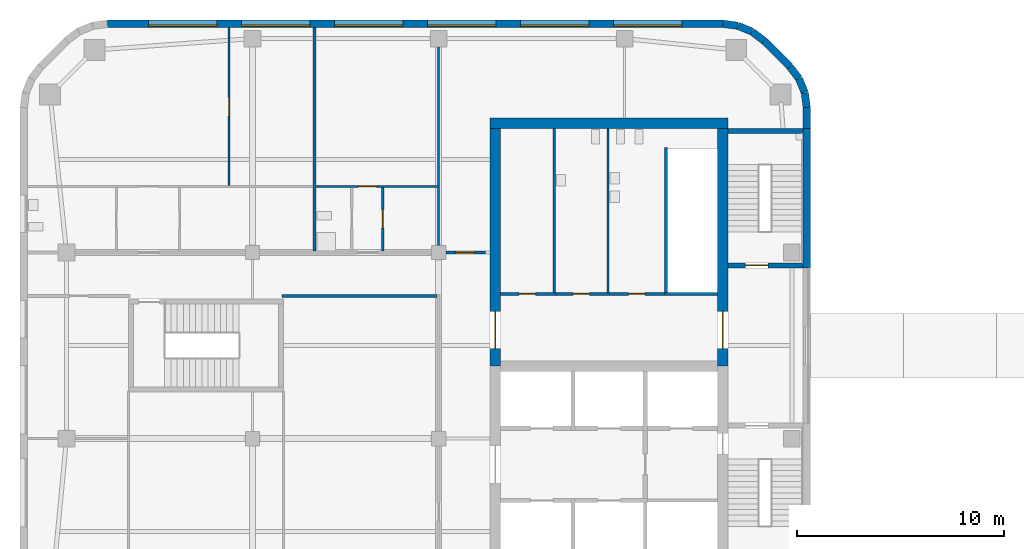
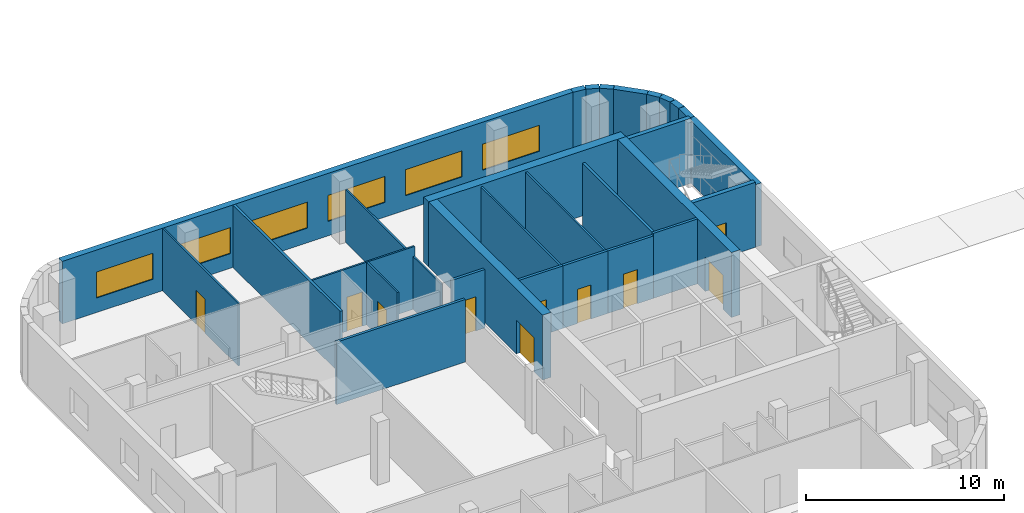
# One storey, part 7 of 15: 30 walls, 10 doors, 6 windows, 16 openings.
"""IFC4 building model written with IfcOpenShell, lengths in metres."""

from ifc_helpers import new_model, si_unit, direction, frame, frame_2d, origin, place, context, subcontext, project, spatial, rectangle, extrude, material, layer, layer_set, type_object, element, fill, save


model = new_model("IFC4")

# Units and contexts
model_context = context("Model", 3, precision=1e-05, world=origin(), true_north=direction((0.0, 1.0)))
body_context = subcontext(model_context, "Body", "Model", "MODEL_VIEW")
ifc_project = project(units=[si_unit("LENGTHUNIT", "METRE"), si_unit("AREAUNIT", "SQUARE_METRE"), si_unit("VOLUMEUNIT", "CUBIC_METRE"), si_unit("PLANEANGLEUNIT", "RADIAN"), si_unit("MASSUNIT", "GRAM", prefix="KILO")], contexts=[model_context])

# Site, building, storey
site_placement = place(None, origin())
site = spatial("IfcSite", under=ifc_project, at=site_placement, CompositionType="ELEMENT")
building_placement = place(site_placement, origin())
building = spatial("IfcBuilding", under=site, at=building_placement, Name="Cinnabar Reach Civic Tower", CompositionType="ELEMENT")
storey_placement = place(building_placement, frame((0.0, 0.0, 75.0)))
storey = spatial("IfcBuildingStorey", under=building, at=storey_placement, Name="L17", CompositionType="ELEMENT", Elevation=75.0)

# Walls
ifc_material_1 = material(Name="Facing brick with insulated backing", Category="masonry")
ifc_layer_1 = layer(ifc_material_1, 0.36)
ifc_layer_set_1 = layer_set([ifc_layer_1], Name="Brick corner wall")
wall_type_1 = type_object("IfcWallType", Name="Brick corner wall", PredefinedType="STANDARD", material=ifc_layer_set_1)
for number, where, z_axis, x_axis, name in (
    (1, (-27.183, 43.0186, 0.0), (0.0, 0.0, 1.0), (-0.13055608231, 0.99144092581, 0.0), "Brick corner wall"),
    (2, (-27.2819, 43.7473, 0.0), (0.0, 0.0, 1.0), (-0.382702709855, 0.923871547278, 0.0), "Brick corner wall"),
):
    element("IfcWall", number, at=place(storey_placement, frame(where, z_axis=z_axis, x_axis=x_axis)), inside=storey, type_object=wall_type_1, Name=name, PredefinedType="STANDARD", context=body_context, shape_type="SweptSolid", body=[
        extrude(rectangle(XDim=0.7131, YDim=0.36, at=frame_2d((0.3565, 0.0))), origin(), (0.0, 0.0, 1.0), 3.85),
    ])
for number, where, z_axis, x_axis, name in (
    (3, (-27.566, 44.4255, 0.0), (0.0, 0.0, 1.0), (-0.608802368033, 0.793321924995, 0.0), "Brick corner wall"),
    (4, (-29.2587, 46.2498, 0.0), (0.0, 0.0, 1.0), (-0.793321924995, 0.608802368033, 0.0), "Brick corner wall"),
):
    element("IfcWall", number, at=place(storey_placement, frame(where, z_axis=z_axis, x_axis=x_axis)), inside=storey, type_object=wall_type_1, Name=name, PredefinedType="STANDARD", context=body_context, shape_type="SweptSolid", body=[
        extrude(rectangle(XDim=0.7132, YDim=0.36, at=frame_2d((0.3566, 0.0))), origin(), (0.0, 0.0, 1.0), 3.85),
    ])
for number, where, z_axis, x_axis, name in (
    (5, (-29.8439, 46.6952, 0.0), (0.0, 0.0, 1.0), (-0.923871547278, 0.382702709855, 0.0), "Brick corner wall"),
    (6, (-30.5244, 46.9739, 0.0), (0.0, 0.0, 1.0), (-0.99144092581, 0.13055608231, 0.0), "Brick corner wall"),
):
    element("IfcWall", number, at=place(storey_placement, frame(where, z_axis=z_axis, x_axis=x_axis)), inside=storey, type_object=wall_type_1, Name=name, PredefinedType="STANDARD", context=body_context, shape_type="SweptSolid", body=[
        extrude(rectangle(XDim=0.7131, YDim=0.36, at=frame_2d((0.3565, 0.0))), origin(), (0.0, 0.0, 1.0), 3.85),
    ])
ifc_layer_2 = layer(ifc_material_1, 0.36)
ifc_layer_set_2 = layer_set([ifc_layer_2], Name="Brick pier and spandrel wall")
wall_type_2 = type_object("IfcWallType", Name="Brick pier and spandrel wall", PredefinedType="STANDARD", material=ifc_layer_set_2)
wall_1_placement = place(storey_placement, frame((-27.18, 35.25, 0.0), z_axis=(0.0, 0.0, 1.0), x_axis=(0.0, 1.0, 0.0)))
element("IfcWall", 7, at=wall_1_placement, inside=storey, type_object=wall_type_2, Name="Brick facade wall", PredefinedType="STANDARD", context=body_context, shape_type="SweptSolid", body=[
    extrude(rectangle(XDim=6.75, YDim=0.36, at=frame_2d((3.375, 0.0))), origin(), (0.0, 0.0, 1.0), 3.85),
])
wall_2_placement = place(storey_placement, frame((-27.18, 42.0, 0.0), z_axis=(0.0, 0.0, 1.0), x_axis=(0.0, 1.0, 0.0)))
element("IfcWall", 8, at=wall_2_placement, inside=storey, type_object=wall_type_2, Name="Brick facade wall", PredefinedType="STANDARD", context=body_context, shape_type="SweptSolid", body=[
    extrude(rectangle(XDim=1.0074, YDim=0.36, at=frame_2d((0.5037, 0.0))), origin(), (0.0, 0.0, 1.0), 3.85),
])
wall_3_placement = place(storey_placement, frame((-28.006, 45.0014, 0.0), z_axis=(0.0, 0.0, 1.0), x_axis=(-0.707106781187, 0.707106781187, 0.0)))
element("IfcWall", 9, at=wall_3_placement, inside=storey, type_object=wall_type_2, Name="Brick facade wall", PredefinedType="STANDARD", context=body_context, shape_type="SweptSolid", body=[
    extrude(rectangle(XDim=1.7573, YDim=0.36, at=frame_2d((0.8787, 0.0))), origin(), (0.0, 0.0, 1.0), 3.85),
])

# Wall, openings, windows
wall_4_placement = place(storey_placement, frame((-31.2426, 47.07, 0.0), z_axis=(0.0, 0.0, 1.0), x_axis=(-1.0, 0.0, 0.0)))
wall_4 = element("IfcWall", 10, at=wall_4_placement, inside=storey, type_object=wall_type_2, Name="Brick facade wall", PredefinedType="STANDARD", context=body_context, shape_type="SweptSolid", body=[
    extrude(rectangle(XDim=29.7648, YDim=0.36, at=frame_2d((14.8824, 0.0))), origin(), (0.0, 0.0, 1.0), 3.85),
])
opening_1_placement = place(wall_4_placement, frame((1.9824, 0.0, 0.9)))
opening_1 = element("IfcOpeningElement", 11, at=opening_1_placement, cuts=wall_4, Name="Opening W2575", PredefinedType="OPENING", context=body_context, shape_type="SweptSolid", body=[
    extrude(rectangle(XDim=3.3, YDim=1.6, at=frame_2d((1.65, 0.8))), frame((0.0, 0.19, 0.0), z_axis=(0.0, -1.0, 0.0), x_axis=(1.0, 0.0, 0.0)), (0.0, 0.0, 1.0), 0.38),
])
opening_2_placement = place(wall_4_placement, frame((6.4824, 0.0, 0.9)))
opening_2 = element("IfcOpeningElement", 12, at=opening_2_placement, cuts=wall_4, Name="Opening W2576", PredefinedType="OPENING", context=body_context, shape_type="SweptSolid", body=[
    extrude(rectangle(XDim=3.3, YDim=1.6, at=frame_2d((1.65, 0.8))), frame((0.0, 0.19, 0.0), z_axis=(0.0, -1.0, 0.0), x_axis=(1.0, 0.0, 0.0)), (0.0, 0.0, 1.0), 0.38),
])
opening_3_placement = place(wall_4_placement, frame((10.9824, 0.0, 0.9)))
opening_3 = element("IfcOpeningElement", 13, at=opening_3_placement, cuts=wall_4, Name="Opening W2577", PredefinedType="OPENING", context=body_context, shape_type="SweptSolid", body=[
    extrude(rectangle(XDim=3.3, YDim=1.6, at=frame_2d((1.65, 0.8))), frame((0.0, 0.19, 0.0), z_axis=(0.0, -1.0, 0.0), x_axis=(1.0, 0.0, 0.0)), (0.0, 0.0, 1.0), 0.38),
])
opening_4_placement = place(wall_4_placement, frame((15.4824, 0.0, 0.9)))
opening_4 = element("IfcOpeningElement", 14, at=opening_4_placement, cuts=wall_4, Name="Opening W2578", PredefinedType="OPENING", context=body_context, shape_type="SweptSolid", body=[
    extrude(rectangle(XDim=3.3, YDim=1.6, at=frame_2d((1.65, 0.8))), frame((0.0, 0.19, 0.0), z_axis=(0.0, -1.0, 0.0), x_axis=(1.0, 0.0, 0.0)), (0.0, 0.0, 1.0), 0.38),
])
opening_5_placement = place(wall_4_placement, frame((19.9824, 0.0, 0.9)))
opening_5 = element("IfcOpeningElement", 15, at=opening_5_placement, cuts=wall_4, Name="Opening W2579", PredefinedType="OPENING", context=body_context, shape_type="SweptSolid", body=[
    extrude(rectangle(XDim=3.3, YDim=1.6, at=frame_2d((1.65, 0.8))), frame((0.0, 0.19, 0.0), z_axis=(0.0, -1.0, 0.0), x_axis=(1.0, 0.0, 0.0)), (0.0, 0.0, 1.0), 0.38),
])
opening_6_placement = place(wall_4_placement, frame((24.4824, 0.0, 0.9)))
opening_6 = element("IfcOpeningElement", 16, at=opening_6_placement, cuts=wall_4, Name="Opening W2580", PredefinedType="OPENING", context=body_context, shape_type="SweptSolid", body=[
    extrude(rectangle(XDim=3.3, YDim=1.6, at=frame_2d((1.65, 0.8))), frame((0.0, 0.19, 0.0), z_axis=(0.0, -1.0, 0.0), x_axis=(1.0, 0.0, 0.0)), (0.0, 0.0, 1.0), 0.38),
])
ifc_material_2 = material(Name="Clear double glazing in aluminium frame", Category="aluminium")
window_type = type_object("IfcWindowType", Name="Deep-set window A", PartitioningType="SINGLE_PANEL", PredefinedType="WINDOW", material=ifc_material_2)
window_1_placement = place(opening_1_placement, origin())
window_1 = element("IfcWindow", 17, at=window_1_placement, inside=storey, type_object=window_type, Name="Window north face", OverallHeight=1.6, OverallWidth=3.3, PartitioningType="SINGLE_PANEL", PredefinedType="WINDOW", context=body_context, shape_type="SweptSolid", body=[
    extrude(rectangle(XDim=3.3, YDim=1.6, at=frame_2d((1.65, 0.8))), frame((0.0, 0.13, 0.0), z_axis=(0.0, -1.0, 0.0), x_axis=(1.0, 0.0, 0.0)), (0.0, 0.0, 1.0), 0.06),
])
fill(opening_1, window_1)
window_2_placement = place(opening_2_placement, origin())
window_2 = element("IfcWindow", 18, at=window_2_placement, inside=storey, type_object=window_type, Name="Window north face", OverallHeight=1.6, OverallWidth=3.3, PartitioningType="SINGLE_PANEL", PredefinedType="WINDOW", context=body_context, shape_type="SweptSolid", body=[
    extrude(rectangle(XDim=3.3, YDim=1.6, at=frame_2d((1.65, 0.8))), frame((0.0, 0.13, 0.0), z_axis=(0.0, -1.0, 0.0), x_axis=(1.0, 0.0, 0.0)), (0.0, 0.0, 1.0), 0.06),
])
fill(opening_2, window_2)
window_3_placement = place(opening_3_placement, origin())
window_3 = element("IfcWindow", 19, at=window_3_placement, inside=storey, type_object=window_type, Name="Window north face", OverallHeight=1.6, OverallWidth=3.3, PartitioningType="SINGLE_PANEL", PredefinedType="WINDOW", context=body_context, shape_type="SweptSolid", body=[
    extrude(rectangle(XDim=3.3, YDim=1.6, at=frame_2d((1.65, 0.8))), frame((0.0, 0.13, 0.0), z_axis=(0.0, -1.0, 0.0), x_axis=(1.0, 0.0, 0.0)), (0.0, 0.0, 1.0), 0.06),
])
fill(opening_3, window_3)
window_4_placement = place(opening_4_placement, origin())
window_4 = element("IfcWindow", 20, at=window_4_placement, inside=storey, type_object=window_type, Name="Window north face", OverallHeight=1.6, OverallWidth=3.3, PartitioningType="SINGLE_PANEL", PredefinedType="WINDOW", context=body_context, shape_type="SweptSolid", body=[
    extrude(rectangle(XDim=3.3, YDim=1.6, at=frame_2d((1.65, 0.8))), frame((0.0, 0.13, 0.0), z_axis=(0.0, -1.0, 0.0), x_axis=(1.0, 0.0, 0.0)), (0.0, 0.0, 1.0), 0.06),
])
fill(opening_4, window_4)
window_5_placement = place(opening_5_placement, origin())
window_5 = element("IfcWindow", 21, at=window_5_placement, inside=storey, type_object=window_type, Name="Window north face", OverallHeight=1.6, OverallWidth=3.3, PartitioningType="SINGLE_PANEL", PredefinedType="WINDOW", context=body_context, shape_type="SweptSolid", body=[
    extrude(rectangle(XDim=3.3, YDim=1.6, at=frame_2d((1.65, 0.8))), frame((0.0, 0.13, 0.0), z_axis=(0.0, -1.0, 0.0), x_axis=(1.0, 0.0, 0.0)), (0.0, 0.0, 1.0), 0.06),
])
fill(opening_5, window_5)
window_6_placement = place(opening_6_placement, origin())
window_6 = element("IfcWindow", 22, at=window_6_placement, inside=storey, type_object=window_type, Name="Window north face", OverallHeight=1.6, OverallWidth=3.3, PartitioningType="SINGLE_PANEL", PredefinedType="WINDOW", context=body_context, shape_type="SweptSolid", body=[
    extrude(rectangle(XDim=3.3, YDim=1.6, at=frame_2d((1.65, 0.8))), frame((0.0, 0.13, 0.0), z_axis=(0.0, -1.0, 0.0), x_axis=(1.0, 0.0, 0.0)), (0.0, 0.0, 1.0), 0.06),
])
fill(opening_6, window_6)

# Wall
ifc_material_3 = material(Name="Concrete C60", Category="concrete")
ifc_layer_3 = layer(ifc_material_3, 0.5)
ifc_layer_set_3 = layer_set([ifc_layer_3], Name="Core wall 500 EI 180")
wall_type_3 = type_object("IfcWallType", Name="Core wall 500 EI 180", PredefinedType="SOLIDWALL", material=ifc_layer_set_3)
wall_5_placement = place(storey_placement, frame((-31.0, 42.25, 0.0), z_axis=(0.0, 0.0, 1.0), x_axis=(-1.0, 0.0, 0.0)))
element("IfcWall", 23, at=wall_5_placement, inside=storey, type_object=wall_type_3, Name="Core wall T2 L17 N", PredefinedType="SOLIDWALL", context=body_context, shape_type="SweptSolid", body=[
    extrude(rectangle(XDim=11.5, YDim=0.5, at=frame_2d((5.75, 0.0))), origin(), (0.0, 0.0, 1.0), 4.0),
])

# Wall, opening, door
wall_6_placement = place(storey_placement, frame((-31.25, 30.5, 0.0), z_axis=(0.0, 0.0, 1.0), x_axis=(0.0, 1.0, 0.0)))
wall_6 = element("IfcWall", 24, at=wall_6_placement, inside=storey, type_object=wall_type_3, Name="Core wall T2 L17 E2", PredefinedType="SOLIDWALL", context=body_context, shape_type="SweptSolid", body=[
    extrude(rectangle(XDim=11.5, YDim=0.5, at=frame_2d((5.75, 0.0))), origin(), (0.0, 0.0, 1.0), 4.0),
])
opening_7_placement = place(wall_6_placement, frame((0.85, 0.0, 0.0)))
opening_7 = element("IfcOpeningElement", 25, at=opening_7_placement, cuts=wall_6, Name="Opening D6635", PredefinedType="OPENING", context=body_context, shape_type="SweptSolid", body=[
    extrude(rectangle(XDim=1.8, YDim=2.1, at=frame_2d((0.9, 1.05))), frame((0.0, 0.26, 0.0), z_axis=(0.0, -1.0, 0.0), x_axis=(1.0, 0.0, 0.0)), (0.0, 0.0, 1.0), 0.52),
])
ifc_material_4 = material(Name="Steel fire door", Category="steel")
door_type_1 = type_object("IfcDoorType", Name="T2 Double door 1800", OperationType="DOUBLE_DOOR_SINGLE_SWING", PredefinedType="DOOR", material=ifc_material_4)
door_1_placement = place(opening_7_placement, origin())
door_1 = element("IfcDoor", 26, at=door_1_placement, inside=storey, type_object=door_type_1, Name="T2 Double door D6635", OperationType="DOUBLE_DOOR_SINGLE_SWING", OverallHeight=2.1, OverallWidth=1.8, PredefinedType="DOOR", context=body_context, shape_type="SweptSolid", body=[
    extrude(rectangle(XDim=1.8, YDim=2.1, at=frame_2d((0.9, 1.05))), frame((0.0, 0.025, 0.0), z_axis=(0.0, -1.0, 0.0), x_axis=(1.0, 0.0, 0.0)), (0.0, 0.0, 1.0), 0.05),
])
fill(opening_7, door_1)

wall_7_placement = place(storey_placement, frame((-42.25, 42.0, 0.0), z_axis=(0.0, 0.0, 1.0), x_axis=(0.0, -1.0, 0.0)))
wall_7 = element("IfcWall", 27, at=wall_7_placement, inside=storey, type_object=wall_type_3, Name="Core wall T2 L17 W", PredefinedType="SOLIDWALL", context=body_context, shape_type="SweptSolid", body=[
    extrude(rectangle(XDim=11.5, YDim=0.5, at=frame_2d((5.75, 0.0))), origin(), (0.0, 0.0, 1.0), 4.0),
])
opening_8_placement = place(wall_7_placement, frame((8.85, 0.0, 0.0)))
opening_8 = element("IfcOpeningElement", 28, at=opening_8_placement, cuts=wall_7, Name="Opening D6637", PredefinedType="OPENING", context=body_context, shape_type="SweptSolid", body=[
    extrude(rectangle(XDim=1.8, YDim=2.1, at=frame_2d((0.9, 1.05))), frame((0.0, 0.26, 0.0), z_axis=(0.0, -1.0, 0.0), x_axis=(1.0, 0.0, 0.0)), (0.0, 0.0, 1.0), 0.52),
])
door_2_placement = place(opening_8_placement, frame((1.8, 0.0, 0.0), z_axis=(0.0, 0.0, 1.0), x_axis=(-1.0, 0.0, 0.0)))
door_2 = element("IfcDoor", 29, at=door_2_placement, inside=storey, type_object=door_type_1, Name="T2 Double door D6637", OperationType="DOUBLE_DOOR_SINGLE_SWING", OverallHeight=2.1, OverallWidth=1.8, PredefinedType="DOOR", context=body_context, shape_type="SweptSolid", body=[
    extrude(rectangle(XDim=1.8, YDim=2.1, at=frame_2d((0.9, 1.05))), frame((0.0, 0.025, 0.0), z_axis=(0.0, -1.0, 0.0), x_axis=(1.0, 0.0, 0.0)), (0.0, 0.0, 1.0), 0.05),
])
fill(opening_8, door_2)

ifc_material_5 = material(Name="Gypsum board on steel studs, double layer", Category="steel")
ifc_layer_4 = layer(ifc_material_5, 0.15)
ifc_layer_set_4 = layer_set([ifc_layer_4], Name="Corridor wall 150 T2")
wall_type_4 = type_object("IfcWallType", Name="Corridor wall 150 T2", PredefinedType="PARTITIONING", material=ifc_layer_set_4)
wall_8_placement = place(storey_placement, frame((-44.65, 36.0, 0.0), z_axis=(0.0, 0.0, 1.0), x_axis=(1.0, 0.0, 0.0)))
wall_8 = element("IfcWall", 30, at=wall_8_placement, inside=storey, type_object=wall_type_4, Name="Corridor wall 5", PredefinedType="PARTITIONING", context=body_context, shape_type="SweptSolid", body=[
    extrude(rectangle(XDim=1.925, YDim=0.15, at=frame_2d((0.9625, 0.0))), origin(), (0.0, 0.0, 1.0), 3.602),
])
opening_9_placement = place(wall_8_placement, frame((0.5, 0.0, 0.0)))
opening_9 = element("IfcOpeningElement", 31, at=opening_9_placement, cuts=wall_8, Name="Opening D6641", PredefinedType="OPENING", context=body_context, shape_type="SweptSolid", body=[
    extrude(rectangle(XDim=0.9, YDim=2.1, at=frame_2d((0.45, 1.05))), frame((0.0, 0.085, 0.0), z_axis=(0.0, -1.0, 0.0), x_axis=(1.0, 0.0, 0.0)), (0.0, 0.0, 1.0), 0.17),
])
ifc_material_6 = material(Name="Timber door leaf in steel frame", Category="steel")
door_type_2 = type_object("IfcDoorType", Name="Single swing door 900 x 2100 T2", OperationType="SINGLE_SWING_LEFT", PredefinedType="DOOR", material=ifc_material_6)
door_3_placement = place(opening_9_placement, origin())
door_3 = element("IfcDoor", 32, at=door_3_placement, inside=storey, type_object=door_type_2, Name="Door D6641", OperationType="SINGLE_SWING_LEFT", OverallHeight=2.1, OverallWidth=0.9, PredefinedType="DOOR", context=body_context, shape_type="SweptSolid", body=[
    extrude(rectangle(XDim=0.9, YDim=2.1, at=frame_2d((0.45, 1.05))), frame((0.0, 0.025, 0.0), z_axis=(0.0, -1.0, 0.0), x_axis=(1.0, 0.0, 0.0)), (0.0, 0.0, 1.0), 0.05),
])
fill(opening_9, door_3)

# Wall
wall_9_placement = place(storey_placement, frame((-52.575, 33.9, 0.0), z_axis=(0.0, 0.0, 1.0), x_axis=(1.0, 0.0, 0.0)))
element("IfcWall", 33, at=wall_9_placement, inside=storey, type_object=wall_type_4, Name="Corridor wall 12", PredefinedType="PARTITIONING", context=body_context, shape_type="SweptSolid", body=[
    extrude(rectangle(XDim=7.5, YDim=0.15, at=frame_2d((3.75, 0.0))), origin(), (0.0, 0.0, 1.0), 3.85),
])

# Wall, opening, door
ifc_material_7 = material(Name="Gypsum board on steel studs", Category="steel")
ifc_layer_5 = layer(ifc_material_7, 0.1)
ifc_layer_set_5 = layer_set([ifc_layer_5], Name="Partition wall 100 T2")
wall_type_5 = type_object("IfcWallType", Name="Partition wall 100 T2", PredefinedType="PARTITIONING", material=ifc_layer_set_5)
wall_10_placement = place(storey_placement, frame((-50.925, 39.2, 0.0), z_axis=(0.0, 0.0, 1.0), x_axis=(1.0, 0.0, 0.0)))
wall_10 = element("IfcWall", 34, at=wall_10_placement, inside=storey, type_object=wall_type_5, Name="Partition wall 16", PredefinedType="PARTITIONING", context=body_context, shape_type="SweptSolid", body=[
    extrude(rectangle(XDim=5.975, YDim=0.1, at=frame_2d((2.9875, 0.0))), origin(), (0.0, 0.0, 1.0), 3.85),
])
opening_10_placement = place(wall_10_placement, frame((2.025, 0.0, 0.0)))
opening_10 = element("IfcOpeningElement", 35, at=opening_10_placement, cuts=wall_10, Name="Opening D6659", PredefinedType="OPENING", context=body_context, shape_type="SweptSolid", body=[
    extrude(rectangle(XDim=0.9, YDim=2.1, at=frame_2d((0.45, 1.05))), frame((0.0, 0.06, 0.0), z_axis=(0.0, -1.0, 0.0), x_axis=(1.0, 0.0, 0.0)), (0.0, 0.0, 1.0), 0.12),
])
door_4_placement = place(opening_10_placement, frame((0.9, 0.0, 0.0), z_axis=(0.0, 0.0, 1.0), x_axis=(-1.0, 0.0, 0.0)))
door_4 = element("IfcDoor", 36, at=door_4_placement, inside=storey, type_object=door_type_2, Name="Door D6659", OperationType="SINGLE_SWING_LEFT", OverallHeight=2.1, OverallWidth=0.9, PredefinedType="DOOR", context=body_context, shape_type="SweptSolid", body=[
    extrude(rectangle(XDim=0.9, YDim=2.1, at=frame_2d((0.45, 1.05))), frame((0.0, 0.025, 0.0), z_axis=(0.0, -1.0, 0.0), x_axis=(1.0, 0.0, 0.0)), (0.0, 0.0, 1.0), 0.05),
])
fill(opening_10, door_4)

# Walls
wall_11_placement = place(storey_placement, frame((-45.0, 39.25, 0.0), z_axis=(0.0, 0.0, 1.0), x_axis=(0.0, 1.0, 0.0)))
element("IfcWall", 37, at=wall_11_placement, inside=storey, type_object=wall_type_5, Name="Partition wall 20", PredefinedType="PARTITIONING", context=body_context, shape_type="SweptSolid", body=[
    extrude(rectangle(XDim=6.7, YDim=0.1, at=frame_2d((3.35, 0.0))), origin(), (0.0, 0.0, 1.0), 3.256),
])
wall_12_placement = place(storey_placement, frame((-45.0, 36.35, 0.0), z_axis=(0.0, 0.0, 1.0), x_axis=(0.0, 1.0, 0.0)))
element("IfcWall", 38, at=wall_12_placement, inside=storey, type_object=wall_type_5, Name="Partition wall 21", PredefinedType="PARTITIONING", context=body_context, shape_type="SweptSolid", body=[
    extrude(rectangle(XDim=2.8, YDim=0.1, at=frame_2d((1.4, 0.0))), origin(), (0.0, 0.0, 1.0), 3.256),
])

# Wall, opening, door
wall_13_placement = place(storey_placement, frame((-55.13, 39.25, 0.0), z_axis=(0.0, 0.0, 1.0), x_axis=(0.0, 1.0, 0.0)))
wall_13 = element("IfcWall", 39, at=wall_13_placement, inside=storey, type_object=wall_type_5, Name="Partition wall 28", PredefinedType="PARTITIONING", context=body_context, shape_type="SweptSolid", body=[
    extrude(rectangle(XDim=7.64, YDim=0.1, at=frame_2d((3.82, 0.0))), origin(), (0.0, 0.0, 1.0), 3.85),
])
opening_11_placement = place(wall_13_placement, frame((3.35, 0.0, 0.0)))
opening_11 = element("IfcOpeningElement", 40, at=opening_11_placement, cuts=wall_13, Name="Opening D6655", PredefinedType="OPENING", context=body_context, shape_type="SweptSolid", body=[
    extrude(rectangle(XDim=0.9, YDim=2.1, at=frame_2d((0.45, 1.05))), frame((0.0, 0.06, 0.0), z_axis=(0.0, -1.0, 0.0), x_axis=(1.0, 0.0, 0.0)), (0.0, 0.0, 1.0), 0.12),
])
door_5_placement = place(opening_11_placement, frame((0.9, 0.0, 0.0), z_axis=(0.0, 0.0, 1.0), x_axis=(-1.0, 0.0, 0.0)))
door_5 = element("IfcDoor", 41, at=door_5_placement, inside=storey, type_object=door_type_2, Name="Door D6655", OperationType="SINGLE_SWING_RIGHT", OverallHeight=2.1, OverallWidth=0.9, PredefinedType="DOOR", context=body_context, shape_type="SweptSolid", body=[
    extrude(rectangle(XDim=0.9, YDim=2.1, at=frame_2d((0.45, 1.05))), frame((0.0, 0.025, 0.0), z_axis=(0.0, -1.0, 0.0), x_axis=(1.0, 0.0, 0.0)), (0.0, 0.0, 1.0), 0.05),
])
fill(opening_11, door_5)

wall_14_placement = place(storey_placement, frame((-47.7, 36.075, 0.0), z_axis=(0.0, 0.0, 1.0), x_axis=(0.0, 1.0, 0.0)))
wall_14 = element("IfcWall", 42, at=wall_14_placement, inside=storey, type_object=wall_type_5, Name="Partition wall 34", PredefinedType="PARTITIONING", context=body_context, shape_type="SweptSolid", body=[
    extrude(rectangle(XDim=3.075, YDim=0.1, at=frame_2d((1.5375, 0.0))), origin(), (0.0, 0.0, 1.0), 3.85),
])
opening_12_placement = place(wall_14_placement, frame((1.1, 0.0, 0.0)))
opening_12 = element("IfcOpeningElement", 43, at=opening_12_placement, cuts=wall_14, Name="Opening D6658", PredefinedType="OPENING", context=body_context, shape_type="SweptSolid", body=[
    extrude(rectangle(XDim=0.9, YDim=2.1, at=frame_2d((0.45, 1.05))), frame((0.0, 0.06, 0.0), z_axis=(0.0, -1.0, 0.0), x_axis=(1.0, 0.0, 0.0)), (0.0, 0.0, 1.0), 0.12),
])
door_6_placement = place(opening_12_placement, origin())
door_6 = element("IfcDoor", 44, at=door_6_placement, inside=storey, type_object=door_type_2, Name="Door D6658", OperationType="SINGLE_SWING_RIGHT", OverallHeight=2.1, OverallWidth=0.9, PredefinedType="DOOR", context=body_context, shape_type="SweptSolid", body=[
    extrude(rectangle(XDim=0.9, YDim=2.1, at=frame_2d((0.45, 1.05))), frame((0.0, 0.025, 0.0), z_axis=(0.0, -1.0, 0.0), x_axis=(1.0, 0.0, 0.0)), (0.0, 0.0, 1.0), 0.05),
])
fill(opening_12, door_6)

ifc_layer_6 = layer(ifc_material_3, 0.25)
ifc_layer_set_6 = layer_set([ifc_layer_6], Name="Stair shaft wall 250 EI 120")
wall_type_6 = type_object("IfcWallType", Name="Stair shaft wall 250 EI 120", PredefinedType="SOLIDWALL", material=ifc_layer_set_6)
wall_15_placement = place(storey_placement, frame((-31.0, 35.375, 0.0), z_axis=(0.0, 0.0, 1.0), x_axis=(1.0, 0.0, 0.0)))
wall_15 = element("IfcWall", 45, at=wall_15_placement, inside=storey, type_object=wall_type_6, Name="Stair shaft wall T2-S2 L17", PredefinedType="SOLIDWALL", context=body_context, shape_type="SweptSolid", body=[
    extrude(rectangle(XDim=3.64, YDim=0.25, at=frame_2d((1.82, 0.0))), origin(), (0.0, 0.0, 1.0), 4.0),
])
opening_13_placement = place(wall_15_placement, frame((0.85, 0.0, 0.0)))
opening_13 = element("IfcOpeningElement", 46, at=opening_13_placement, cuts=wall_15, Name="Opening D6634", PredefinedType="OPENING", context=body_context, shape_type="SweptSolid", body=[
    extrude(rectangle(XDim=1.1, YDim=2.1, at=frame_2d((0.55, 1.05))), frame((0.0, 0.135, 0.0), z_axis=(0.0, -1.0, 0.0), x_axis=(1.0, 0.0, 0.0)), (0.0, 0.0, 1.0), 0.27),
])
door_type_3 = type_object("IfcDoorType", Name="T2 Stair door 1100", OperationType="SINGLE_SWING_LEFT", PredefinedType="DOOR", material=ifc_material_4)
door_7_placement = place(opening_13_placement, origin())
door_7 = element("IfcDoor", 47, at=door_7_placement, inside=storey, type_object=door_type_3, Name="T2 Stair door D6634", OperationType="SINGLE_SWING_RIGHT", OverallHeight=2.1, OverallWidth=1.1, PredefinedType="DOOR", context=body_context, shape_type="SweptSolid", body=[
    extrude(rectangle(XDim=1.1, YDim=2.1, at=frame_2d((0.55, 1.05))), frame((0.0, 0.025, 0.0), z_axis=(0.0, -1.0, 0.0), x_axis=(1.0, 0.0, 0.0)), (0.0, 0.0, 1.0), 0.05),
])
fill(opening_13, door_7)

# Wall
wall_16_placement = place(storey_placement, frame((-27.36, 41.875, 0.0), z_axis=(0.0, 0.0, 1.0), x_axis=(-1.0, 0.0, 0.0)))
element("IfcWall", 48, at=wall_16_placement, inside=storey, type_object=wall_type_6, Name="Stair shaft wall T2-S2 L17", PredefinedType="SOLIDWALL", context=body_context, shape_type="SweptSolid", body=[
    extrude(rectangle(XDim=3.64, YDim=0.25, at=frame_2d((1.82, 0.0))), origin(), (0.0, 0.0, 1.0), 4.0),
])

# Wall, opening, door
ifc_material_8 = material(Name="Masonry block partition", Category="masonry")
ifc_layer_7 = layer(ifc_material_8, 0.15)
ifc_layer_set_7 = layer_set([ifc_layer_7], Name="T2 Corridor wall 150")
wall_type_7 = type_object("IfcWallType", Name="T2 Corridor wall 150", PredefinedType="PARTITIONING", material=ifc_layer_set_7)
wall_17_placement = place(storey_placement, frame((-39.325, 34.0, 0.0), z_axis=(0.0, 0.0, 1.0), x_axis=(-1.0, 0.0, 0.0)))
wall_17 = element("IfcWall", 49, at=wall_17_placement, inside=storey, type_object=wall_type_7, Name="T2 Corridor wall L17 014", PredefinedType="PARTITIONING", context=body_context, shape_type="SweptSolid", body=[
    extrude(rectangle(XDim=2.675, YDim=0.15, at=frame_2d((1.3375, 0.0))), origin(), (0.0, 0.0, 1.0), 3.85),
])
opening_14_placement = place(wall_17_placement, frame((0.975, 0.0, 0.0)))
opening_14 = element("IfcOpeningElement", 50, at=opening_14_placement, cuts=wall_17, Name="Opening D6638", PredefinedType="OPENING", context=body_context, shape_type="SweptSolid", body=[
    extrude(rectangle(XDim=0.8, YDim=2.1, at=frame_2d((0.4, 1.05))), frame((0.0, 0.085, 0.0), z_axis=(0.0, -1.0, 0.0), x_axis=(1.0, 0.0, 0.0)), (0.0, 0.0, 1.0), 0.17),
])
ifc_material_9 = material(Name="Timber door leaf", Category="wood")
door_type_4 = type_object("IfcDoorType", Name="T2 Bathroom door 800", OperationType="SINGLE_SWING_LEFT", PredefinedType="DOOR", material=ifc_material_9)
door_8_placement = place(opening_14_placement, frame((0.8, 0.0, 0.0), z_axis=(0.0, 0.0, 1.0), x_axis=(-1.0, 0.0, 0.0)))
door_8 = element("IfcDoor", 51, at=door_8_placement, inside=storey, type_object=door_type_4, Name="T2 Bathroom door D6638", OperationType="SINGLE_SWING_RIGHT", OverallHeight=2.1, OverallWidth=0.8, PredefinedType="DOOR", context=body_context, shape_type="SweptSolid", body=[
    extrude(rectangle(XDim=0.8, YDim=2.1, at=frame_2d((0.4, 1.05))), frame((0.0, 0.025, 0.0), z_axis=(0.0, -1.0, 0.0), x_axis=(1.0, 0.0, 0.0)), (0.0, 0.0, 1.0), 0.05),
])
fill(opening_14, door_8)

wall_18_placement = place(storey_placement, frame((-36.725, 34.0, 0.0), z_axis=(0.0, 0.0, 1.0), x_axis=(-1.0, 0.0, 0.0)))
wall_18 = element("IfcWall", 52, at=wall_18_placement, inside=storey, type_object=wall_type_7, Name="T2 Corridor wall L17 015", PredefinedType="PARTITIONING", context=body_context, shape_type="SweptSolid", body=[
    extrude(rectangle(XDim=2.6, YDim=0.15, at=frame_2d((1.3, 0.0))), origin(), (0.0, 0.0, 1.0), 3.85),
])
opening_15_placement = place(wall_18_placement, frame((0.975, 0.0, 0.0)))
opening_15 = element("IfcOpeningElement", 53, at=opening_15_placement, cuts=wall_18, Name="Opening D6639", PredefinedType="OPENING", context=body_context, shape_type="SweptSolid", body=[
    extrude(rectangle(XDim=0.8, YDim=2.1, at=frame_2d((0.4, 1.05))), frame((0.0, 0.085, 0.0), z_axis=(0.0, -1.0, 0.0), x_axis=(1.0, 0.0, 0.0)), (0.0, 0.0, 1.0), 0.17),
])
door_9_placement = place(opening_15_placement, frame((0.8, 0.0, 0.0), z_axis=(0.0, 0.0, 1.0), x_axis=(-1.0, 0.0, 0.0)))
door_9 = element("IfcDoor", 54, at=door_9_placement, inside=storey, type_object=door_type_4, Name="T2 Bathroom door D6639", OperationType="SINGLE_SWING_LEFT", OverallHeight=2.1, OverallWidth=0.8, PredefinedType="DOOR", context=body_context, shape_type="SweptSolid", body=[
    extrude(rectangle(XDim=0.8, YDim=2.1, at=frame_2d((0.4, 1.05))), frame((0.0, 0.025, 0.0), z_axis=(0.0, -1.0, 0.0), x_axis=(1.0, 0.0, 0.0)), (0.0, 0.0, 1.0), 0.05),
])
fill(opening_15, door_9)

wall_19_placement = place(storey_placement, frame((-34.075, 34.0, 0.0), z_axis=(0.0, 0.0, 1.0), x_axis=(-1.0, 0.0, 0.0)))
wall_19 = element("IfcWall", 55, at=wall_19_placement, inside=storey, type_object=wall_type_7, Name="T2 Corridor wall L17 016", PredefinedType="PARTITIONING", context=body_context, shape_type="SweptSolid", body=[
    extrude(rectangle(XDim=2.65, YDim=0.15, at=frame_2d((1.325, 0.0))), origin(), (0.0, 0.0, 1.0), 3.85),
])
opening_16_placement = place(wall_19_placement, frame((0.925, 0.0, 0.0)))
opening_16 = element("IfcOpeningElement", 56, at=opening_16_placement, cuts=wall_19, Name="Opening D6640", PredefinedType="OPENING", context=body_context, shape_type="SweptSolid", body=[
    extrude(rectangle(XDim=0.8, YDim=2.1, at=frame_2d((0.4, 1.05))), frame((0.0, 0.085, 0.0), z_axis=(0.0, -1.0, 0.0), x_axis=(1.0, 0.0, 0.0)), (0.0, 0.0, 1.0), 0.17),
])
door_10_placement = place(opening_16_placement, frame((0.8, 0.0, 0.0), z_axis=(0.0, 0.0, 1.0), x_axis=(-1.0, 0.0, 0.0)))
door_10 = element("IfcDoor", 57, at=door_10_placement, inside=storey, type_object=door_type_4, Name="T2 Bathroom door D6640", OperationType="SINGLE_SWING_LEFT", OverallHeight=2.1, OverallWidth=0.8, PredefinedType="DOOR", context=body_context, shape_type="SweptSolid", body=[
    extrude(rectangle(XDim=0.8, YDim=2.1, at=frame_2d((0.4, 1.05))), frame((0.0, 0.025, 0.0), z_axis=(0.0, -1.0, 0.0), x_axis=(1.0, 0.0, 0.0)), (0.0, 0.0, 1.0), 0.05),
])
fill(opening_16, door_10)

# Walls
ifc_material_10 = material(Name="Gypsum board partition")
ifc_layer_8 = layer(ifc_material_10, 0.1)
ifc_layer_set_8 = layer_set([ifc_layer_8], Name="T2 Internal partition 100")
wall_type_8 = type_object("IfcWallType", Name="T2 Internal partition 100", PredefinedType="PARTITIONING", material=ifc_layer_set_8)
for number, where, z_axis, x_axis, name in (
    (58, (-39.4, 34.075, 0.0), (0.0, 0.0, 1.0), (0.0, 1.0, 0.0), "T2 Internal partition L17 017"),
    (59, (-36.8, 34.075, 0.0), (0.0, 0.0, 1.0), (0.0, 1.0, 0.0), "T2 Internal partition L17 018"),
):
    element("IfcWall", number, at=place(storey_placement, frame(where, z_axis=z_axis, x_axis=x_axis)), inside=storey, type_object=wall_type_8, Name=name, PredefinedType="PARTITIONING", context=body_context, shape_type="SweptSolid", body=[
        extrude(rectangle(XDim=7.925, YDim=0.1, at=frame_2d((3.9625, 0.0))), origin(), (0.0, 0.0, 1.0), 3.85),
    ])
ifc_material_11 = material(Name="Concrete C40", Category="concrete")
ifc_layer_9 = layer(ifc_material_11, 0.15)
ifc_layer_set_9 = layer_set([ifc_layer_9], Name="T2 Riser wall 150")
wall_type_9 = type_object("IfcWallType", Name="T2 Riser wall 150", PredefinedType="SOLIDWALL", material=ifc_layer_set_9)
wall_20_placement = place(storey_placement, frame((-34.075, 34.0, 0.0), z_axis=(0.0, 0.0, 1.0), x_axis=(1.0, 0.0, 0.0)))
element("IfcWall", 60, at=wall_20_placement, inside=storey, type_object=wall_type_9, Name="T2 Riser wall L17 012", PredefinedType="SOLIDWALL", context=body_context, shape_type="SweptSolid", body=[
    extrude(rectangle(XDim=2.575, YDim=0.15, at=frame_2d((1.2875, 0.0))), origin(), (0.0, 0.0, 1.0), 4.0),
])
wall_21_placement = place(storey_placement, frame((-34.0, 41.075, 0.0), z_axis=(0.0, 0.0, 1.0), x_axis=(0.0, -1.0, 0.0)))
element("IfcWall", 61, at=wall_21_placement, inside=storey, type_object=wall_type_9, Name="T2 Riser wall L17 013", PredefinedType="SOLIDWALL", context=body_context, shape_type="SweptSolid", body=[
    extrude(rectangle(XDim=7.0, YDim=0.15, at=frame_2d((3.5, 0.0))), origin(), (0.0, 0.0, 1.0), 4.0),
])
ifc_layer_10 = layer(ifc_material_5, 0.15)
ifc_layer_set_10 = layer_set([ifc_layer_10], Name="Tenancy separating wall 150 T2")
wall_type_10 = type_object("IfcWallType", Name="Tenancy separating wall 150 T2", PredefinedType="PARTITIONING", material=ifc_layer_set_10)
wall_22_placement = place(storey_placement, frame((-51.0, 36.075, 0.0), z_axis=(0.0, 0.0, 1.0), x_axis=(0.0, 1.0, 0.0)))
element("IfcWall", 62, at=wall_22_placement, inside=storey, type_object=wall_type_10, Name="Tenancy separating wall 14", PredefinedType="PARTITIONING", context=body_context, shape_type="SweptSolid", body=[
    extrude(rectangle(XDim=10.815, YDim=0.15, at=frame_2d((5.4075, 0.0))), origin(), (0.0, 0.0, 1.0), 3.85),
])

save(model, "model.ifc")
